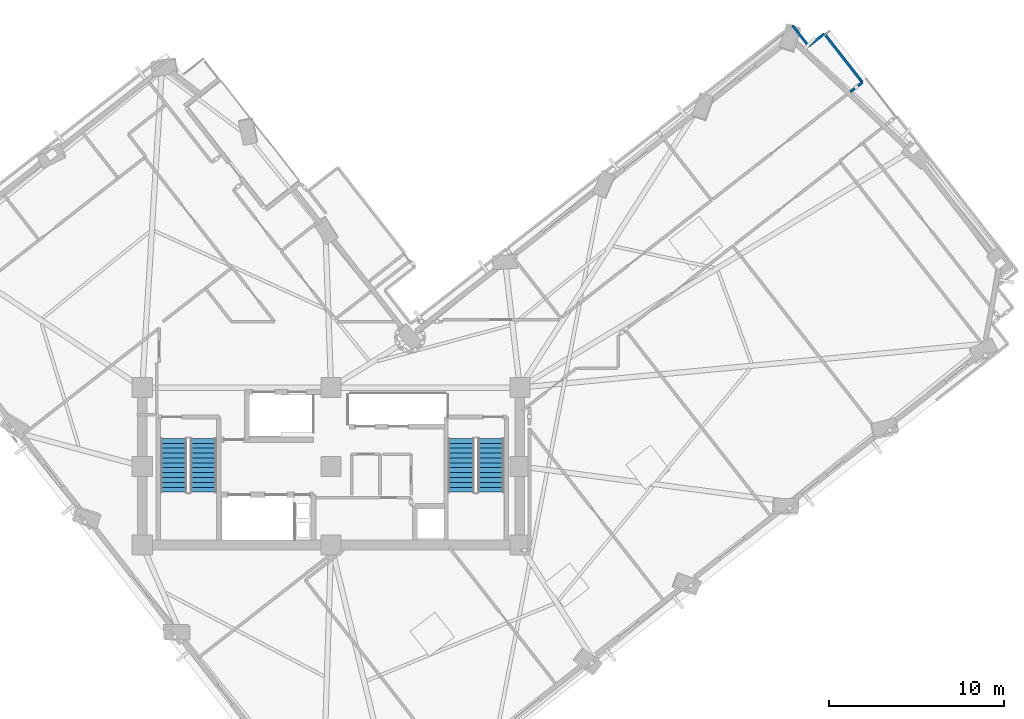
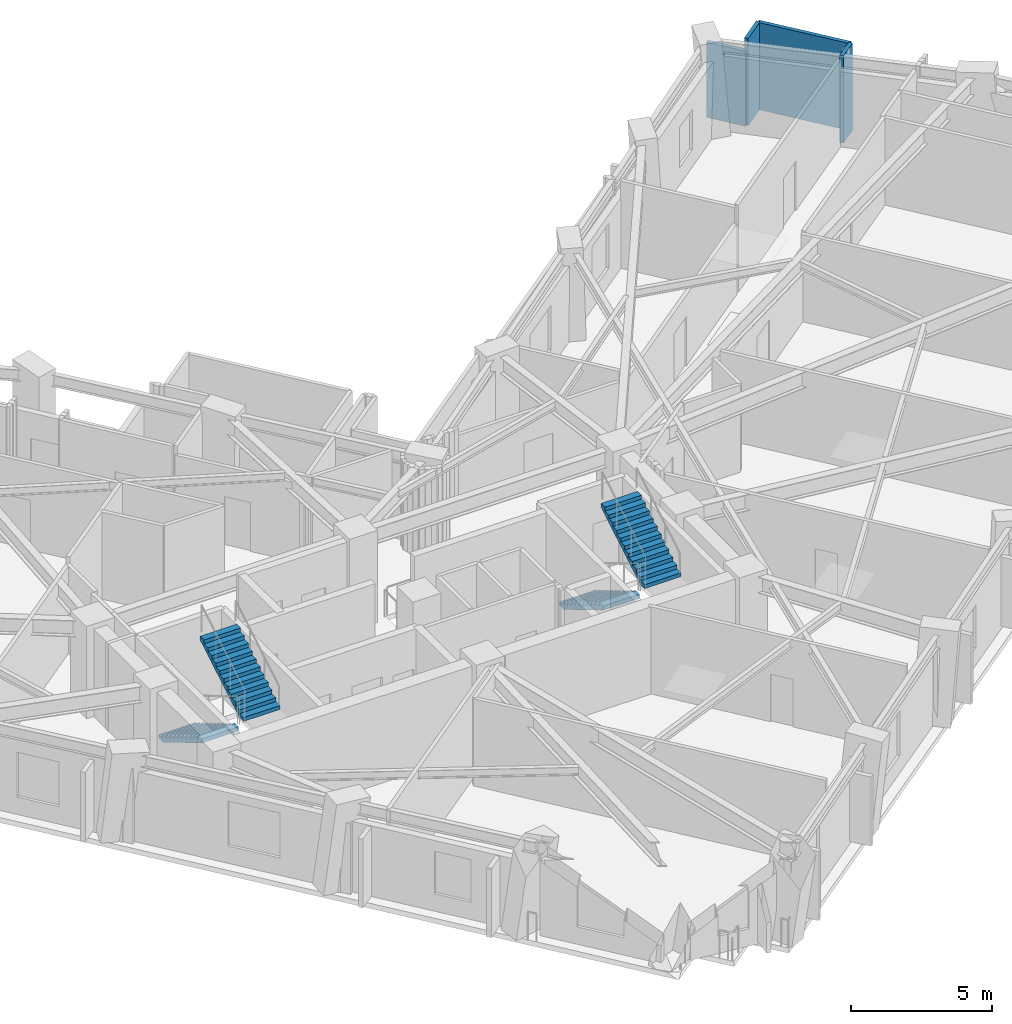
# One storey, part 9 of 14: 4 stair flights, 4 walls, 2 elements without a shape of their own.
"""IFC4 building model written with IfcOpenShell, lengths in metres."""

from ifc_helpers import new_model, si_unit, direction, frame, frame_2d, origin, place, context, subcontext, project, spatial, polyline, rectangle, outline, extrude, material, layer, layer_set, type_object, element, aggregate, save


model = new_model("IFC4")

# Units and contexts
model_context = context("Model", 3, precision=1e-05, world=origin(), true_north=direction((0.0, 1.0)))
body_context = subcontext(model_context, "Body", "Model", "MODEL_VIEW")
ifc_project = project(units=[si_unit("LENGTHUNIT", "METRE"), si_unit("AREAUNIT", "SQUARE_METRE"), si_unit("VOLUMEUNIT", "CUBIC_METRE"), si_unit("PLANEANGLEUNIT", "RADIAN"), si_unit("MASSUNIT", "GRAM", prefix="KILO")], contexts=[model_context])

# Site, building, storey
site_placement = place(None, origin())
site = spatial("IfcSite", under=ifc_project, at=site_placement, CompositionType="ELEMENT")
building_placement = place(site_placement, origin())
building = spatial("IfcBuilding", under=site, at=building_placement, Name="Gaonmaruhae Medical Tower", CompositionType="ELEMENT")
storey_placement = place(building_placement, frame((0.0, 0.0, 185.800048828125)))
storey = spatial("IfcBuildingStorey", under=building, at=storey_placement, Name="L44", CompositionType="ELEMENT", Elevation=185.800048828125)

# Walls
ifc_material_1 = material(Name="Gypsum board partition", Category="gypsum")
ifc_layer = layer(ifc_material_1, 0.14990234375)
ifc_layer_set = layer_set([ifc_layer], Name="Gypsum board partition")
wall_type = type_object("IfcWallType", Name="PW-150 Rated Clinical Corridor Partition", PredefinedType="PARTITIONING", material=ifc_layer_set)
wall_1_placement = place(storey_placement, frame((52.115966796875, 36.346923828125, 0.0), z_axis=(0.0, 0.0, 1.0), x_axis=(0.787758034876, 0.61598480378, 0.0)))
element("IfcWall", 1, at=wall_1_placement, inside=storey, type_object=wall_type, Name="L44 Interior Partition L44-IE03-67", PredefinedType="PARTITIONING", context=body_context, shape_type="SweptSolid", body=[
    extrude(rectangle(XDim=1.139892578125, YDim=0.14990234375, at=frame_2d((0.56982421875, 0.0))), origin(), (0.0, 0.0, 1.0), 3.780029296875),
])
wall_2_placement = place(storey_placement, frame((53.013916015625, 37.049072265625, 0.0), z_axis=(0.0, 0.0, 1.0), x_axis=(0.615858149748, -0.787857055175, 0.0)))
element("IfcWall", 2, at=wall_2_placement, inside=storey, type_object=wall_type, Name="L44 Interior Partition L44-IE03-68", PredefinedType="PARTITIONING", context=body_context, shape_type="SweptSolid", body=[
    extrude(rectangle(XDim=3.5400390625, YDim=0.14990234375, at=frame_2d((1.77001953125, 0.0))), origin(), (0.0, 0.0, 1.0), 3.780029296875),
])
wall_3_placement = place(storey_placement, frame((55.194091796875, 34.260009765625, 0.0), z_axis=(0.0, 0.0, 1.0), x_axis=(-0.787750859678, -0.615993979741, 0.0)))
element("IfcWall", 3, at=wall_3_placement, inside=storey, type_object=wall_type, Name="L44 Interior Partition L44-IE03-69", PredefinedType="PARTITIONING", context=body_context, shape_type="SweptSolid", body=[
    extrude(rectangle(XDim=0.8798828125, YDim=0.14990234375, at=frame_2d((0.43994140625, 0.0))), origin(), (0.0, 0.0, 1.0), 3.780029296875),
])
wall_4_placement = place(storey_placement, frame((51.19189453125, 37.529052734375, 0.0), z_axis=(0.0, 0.0, 1.0), x_axis=(0.615865045624, -0.787851664705, 0.0)))
element("IfcWall", 4, at=wall_4_placement, inside=storey, type_object=wall_type, Name="L44 Interior Partition L44-IE03-72", PredefinedType="PARTITIONING", context=body_context, shape_type="SweptSolid", body=[
    extrude(rectangle(XDim=1.50048828125, YDim=0.14990234375, at=frame_2d((0.750244140625, 0.0))), origin(), (0.0, 0.0, 1.0), 3.264892578125),
])

# Stair, stair flights
ifc_material_2 = material(Name="Concrete C40/50", Category="concrete")
stair_type = type_object("IfcStairType", Name="ST-T1 Primary Core Escape Dogleg Stair", PredefinedType="TWO_QUARTER_TURN_STAIR", material=ifc_material_2)
stair_1_placement = place(storey_placement, origin())
stair_1 = element("IfcStair", 5, at=stair_1_placement, inside=storey, type_object=stair_type, Name="L44 Protected Escape Stair ST-01", PredefinedType="TWO_QUARTER_TURN_STAIR")
stair_flight_type = type_object("IfcStairFlightType", Name="SF-T1 Primary Core Precast Stair Flight", PredefinedType="STRAIGHT", material=ifc_material_2)
stair_flight_1_placement = place(storey_placement, frame((15.800048828125, 13.89990234375, 0.0), z_axis=(0.0, 0.0, 1.0), x_axis=(0.0, -1.0, 0.0)))
stair_flight_1 = element("IfcStairFlight", 6, at=stair_flight_1_placement, type_object=stair_flight_type, Name="ST-01 flight 1", NumberOfRisers=12, NumberOfTreads=11, PredefinedType="STRAIGHT", RiserHeight=0.166666667, TreadLength=0.28, context=body_context, shape_type="SweptSolid", body=[
    extrude(outline(polyline([(0.0, 0.0), (0.0, 0.166748046875), (0.280029296875, 0.166748046875), (0.280029296875, 0.333251953125), (0.56005859375, 0.333251953125), (0.56005859375, 0.5), (0.840087890625, 0.5), (0.840087890625, 0.666748046875), (1.1201171875, 0.666748046875), (1.1201171875, 0.833251953125), (1.39990234375, 0.833251953125), (1.39990234375, 1.0), (1.679931640625, 1.0), (1.679931640625, 1.166748046875), (1.9599609375, 1.166748046875), (1.9599609375, 1.333251953125), (2.239990234375, 1.333251953125), (2.239990234375, 1.5), (2.52001953125, 1.5), (2.52001953125, 1.666748046875), (2.800048828125, 1.666748046875), (2.800048828125, 1.833251953125), (3.080078125, 1.833251953125), (3.080078125, 2.0), (3.080078125, 1.658935546875), (0.29296875, 0.0), (0.0, 0.0)])), frame((0.0, 0.75, 0.0), z_axis=(0.0, -1.0, 0.0), x_axis=(1.0, 0.0, 0.0)), (0.0, 0.0, 1.0), 1.5),
])
stair_flight_2_placement = place(storey_placement, frame((17.5, 10.820068359375, 2.0), z_axis=(0.0, 0.0, 1.0), x_axis=(0.0, 1.0, 0.0)))
stair_flight_2 = element("IfcStairFlight", 7, at=stair_flight_2_placement, type_object=stair_flight_type, Name="ST-01 flight 2", NumberOfRisers=12, NumberOfTreads=11, PredefinedType="STRAIGHT", RiserHeight=0.166666667, TreadLength=0.28, context=body_context, shape_type="SweptSolid", body=[
    extrude(outline(polyline([(0.0, 0.0), (0.0, 0.166748046875), (0.280029296875, 0.166748046875), (0.280029296875, 0.333251953125), (0.56005859375, 0.333251953125), (0.56005859375, 0.5), (0.840087890625, 0.5), (0.840087890625, 0.666748046875), (1.1201171875, 0.666748046875), (1.1201171875, 0.833251953125), (1.39990234375, 0.833251953125), (1.39990234375, 1.0), (1.679931640625, 1.0), (1.679931640625, 1.166748046875), (1.9599609375, 1.166748046875), (1.9599609375, 1.333251953125), (2.239990234375, 1.333251953125), (2.239990234375, 1.5), (2.52001953125, 1.5), (2.52001953125, 1.666748046875), (2.800048828125, 1.666748046875), (2.800048828125, 1.833251953125), (3.080078125, 1.833251953125), (3.080078125, 2.0), (3.080078125, 1.658935546875), (0.29296875, 0.0), (0.0, 0.0)])), frame((0.0, 0.75, 0.0), z_axis=(0.0, -1.0, 0.0), x_axis=(1.0, 0.0, 0.0)), (0.0, 0.0, 1.0), 1.5),
])
aggregate(stair_1, [stair_flight_1, stair_flight_2])

stair_2_placement = place(storey_placement, origin())
stair_2 = element("IfcStair", 8, at=stair_2_placement, inside=storey, type_object=stair_type, Name="L44 Protected Escape Stair ST-02", PredefinedType="TWO_QUARTER_TURN_STAIR")
stair_flight_3_placement = place(storey_placement, frame((32.25, 13.89990234375, 0.0), z_axis=(0.0, 0.0, 1.0), x_axis=(0.0, -1.0, 0.0)))
stair_flight_3 = element("IfcStairFlight", 9, at=stair_flight_3_placement, type_object=stair_flight_type, Name="ST-02 flight 1", NumberOfRisers=12, NumberOfTreads=11, PredefinedType="STRAIGHT", RiserHeight=0.166666667, TreadLength=0.28, context=body_context, shape_type="SweptSolid", body=[
    extrude(outline(polyline([(0.0, 0.0), (0.0, 0.166748046875), (0.280029296875, 0.166748046875), (0.280029296875, 0.333251953125), (0.56005859375, 0.333251953125), (0.56005859375, 0.5), (0.840087890625, 0.5), (0.840087890625, 0.666748046875), (1.1201171875, 0.666748046875), (1.1201171875, 0.833251953125), (1.39990234375, 0.833251953125), (1.39990234375, 1.0), (1.679931640625, 1.0), (1.679931640625, 1.166748046875), (1.9599609375, 1.166748046875), (1.9599609375, 1.333251953125), (2.239990234375, 1.333251953125), (2.239990234375, 1.5), (2.52001953125, 1.5), (2.52001953125, 1.666748046875), (2.800048828125, 1.666748046875), (2.800048828125, 1.833251953125), (3.080078125, 1.833251953125), (3.080078125, 2.0), (3.080078125, 1.658935546875), (0.29296875, 0.0), (0.0, 0.0)])), frame((0.0, 0.75, 0.0), z_axis=(0.0, -1.0, 0.0), x_axis=(1.0, 0.0, 0.0)), (0.0, 0.0, 1.0), 1.5),
])
stair_flight_4_placement = place(storey_placement, frame((33.949951171875, 10.820068359375, 2.0), z_axis=(0.0, 0.0, 1.0), x_axis=(0.0, 1.0, 0.0)))
stair_flight_4 = element("IfcStairFlight", 10, at=stair_flight_4_placement, type_object=stair_flight_type, Name="ST-02 flight 2", NumberOfRisers=12, NumberOfTreads=11, PredefinedType="STRAIGHT", RiserHeight=0.166666667, TreadLength=0.28, context=body_context, shape_type="SweptSolid", body=[
    extrude(outline(polyline([(0.0, 0.0), (0.0, 0.166748046875), (0.280029296875, 0.166748046875), (0.280029296875, 0.333251953125), (0.56005859375, 0.333251953125), (0.56005859375, 0.5), (0.840087890625, 0.5), (0.840087890625, 0.666748046875), (1.1201171875, 0.666748046875), (1.1201171875, 0.833251953125), (1.39990234375, 0.833251953125), (1.39990234375, 1.0), (1.679931640625, 1.0), (1.679931640625, 1.166748046875), (1.9599609375, 1.166748046875), (1.9599609375, 1.333251953125), (2.239990234375, 1.333251953125), (2.239990234375, 1.5), (2.52001953125, 1.5), (2.52001953125, 1.666748046875), (2.800048828125, 1.666748046875), (2.800048828125, 1.833251953125), (3.080078125, 1.833251953125), (3.080078125, 2.0), (3.080078125, 1.658935546875), (0.29296875, 0.0), (0.0, 0.0)])), frame((0.0, 0.75, 0.0), z_axis=(0.0, -1.0, 0.0), x_axis=(1.0, 0.0, 0.0)), (0.0, 0.0, 1.0), 1.5),
])
aggregate(stair_2, [stair_flight_3, stair_flight_4])

save(model, "model.ifc")
